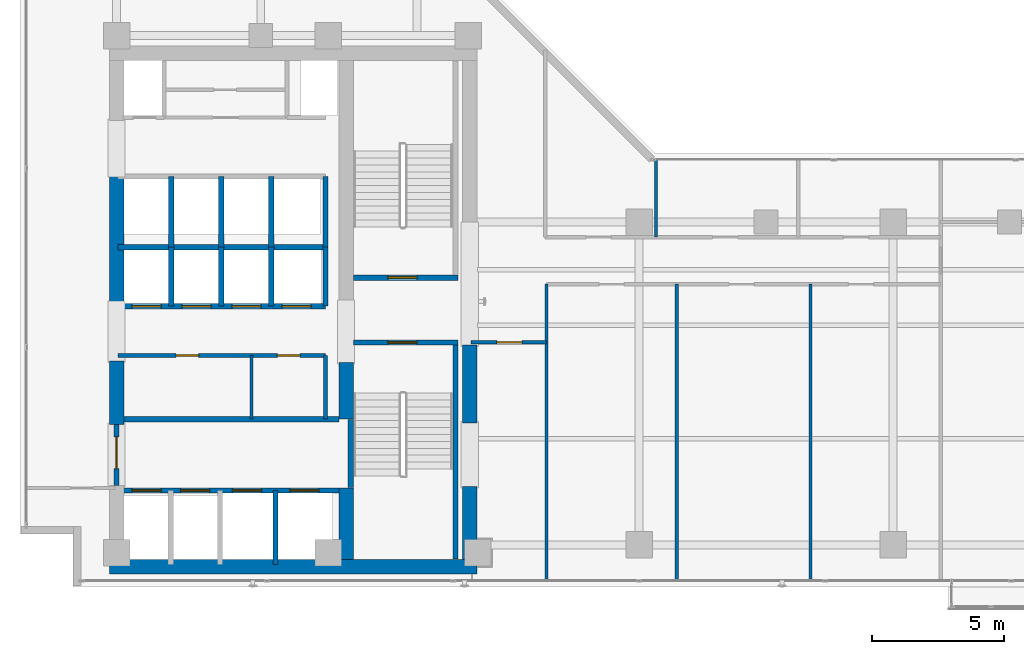
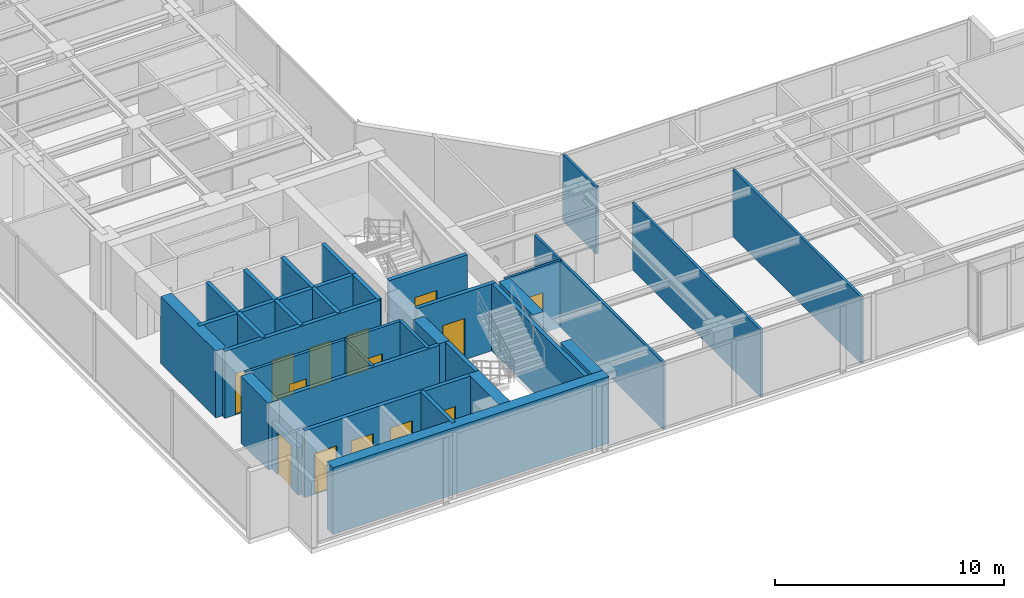
# One storey, part 16 of 23: 33 walls, 14 doors, 14 openings.
"""IFC4 building model written with IfcOpenShell, lengths in metres."""

from ifc_helpers import new_model, si_unit, direction, frame, frame_2d, origin, place, context, subcontext, project, spatial, rectangle, extrude, material, layer, layer_set, type_object, element, fill, save


model = new_model("IFC4")

# Units and contexts
model_context = context("Model", 3, precision=1e-05, world=origin(), true_north=direction((0.0, 1.0)))
body_context = subcontext(model_context, "Body", "Model", "MODEL_VIEW")
ifc_project = project(units=[si_unit("LENGTHUNIT", "METRE"), si_unit("AREAUNIT", "SQUARE_METRE"), si_unit("VOLUMEUNIT", "CUBIC_METRE"), si_unit("PLANEANGLEUNIT", "RADIAN"), si_unit("MASSUNIT", "GRAM", prefix="KILO")], contexts=[model_context])

# Site, building, storey
site_placement = place(None, origin())
site = spatial("IfcSite", under=ifc_project, at=site_placement, CompositionType="ELEMENT")
building_placement = place(site_placement, origin())
building = spatial("IfcBuilding", under=site, at=building_placement, Name="Kolvaren Waterfront Exchange", CompositionType="ELEMENT")
storey_placement = place(building_placement, frame((0.0, 0.0, 212.10009765625)))
storey = spatial("IfcBuildingStorey", under=building, at=storey_placement, Name="L54", CompositionType="ELEMENT", Elevation=212.10009765625)

# Wall, opening, door
ifc_material_1 = material(Name="Precast concrete C40/50", Category="concrete")
ifc_layer_1 = layer(ifc_material_1, 0.199951171875, Name="Precast concrete C40/50")
ifc_layer_set_1 = layer_set([ifc_layer_1], Name="Precast concrete C40/50")
wall_type_1 = type_object("IfcWallType", Name="ARC-FIRE-200", PredefinedType="PARTITIONING", material=ifc_layer_set_1)
wall_1_placement = place(storey_placement, frame((16.39990234375, 12.85009765625, 0.0), z_axis=(0.0, 0.0, 1.0), x_axis=(1.0, 0.0, 0.0)))
wall_1 = element("IfcWall", 1, at=wall_1_placement, inside=storey, type_object=wall_type_1, Name="L54 interior wall PW-L54-ST1-THROAT-S", PredefinedType="PARTITIONING", context=body_context, shape_type="SweptSolid", body=[
    extrude(rectangle(XDim=3.960205078125, YDim=0.199951171875, at=frame_2d((1.97998046875, 0.0))), origin(), (0.0, 0.0, 1.0), 3.559814453125),
])
opening_1_placement = place(wall_1_placement, frame((1.3037109375, 0.0, 0.0)))
opening_1 = element("IfcOpeningElement", 2, at=opening_1_placement, cuts=wall_1, Name="Opening FD2", PredefinedType="OPENING", context=body_context, shape_type="SweptSolid", body=[
    extrude(rectangle(XDim=1.10009765625, YDim=2.199951171875, at=frame_2d((0.550048828125, 1.10009765625))), frame((0.0, 0.10986328125, 0.0), z_axis=(0.0, -1.0, 0.0), x_axis=(1.0, 0.0, 0.0)), (0.0, 0.0, 1.0), 0.219970703125),
])
ifc_material_2 = material(Name="Pressed steel smoke-seal fire door", Category="steel")
door_type_1 = type_object("IfcDoorType", Name="ARC-FD-1100", OperationType="NOTDEFINED", PredefinedType="DOOR", material=ifc_material_2)
door_1_placement = place(opening_1_placement, frame((1.10009765625, 0.0, 0.0), z_axis=(0.0, 0.0, 1.0), x_axis=(-1.0, 0.0, 0.0)))
door_1 = element("IfcDoor", 3, at=door_1_placement, inside=storey, type_object=door_type_1, Name="L54 door DR-L54-ST1-IN (FD2)", OperationType="SINGLE_SWING_RIGHT", OverallHeight=2.199951171875, OverallWidth=1.10009765625, PredefinedType="DOOR", context=body_context, shape_type="SweptSolid", body=[
    extrude(rectangle(XDim=1.10009765625, YDim=2.199951171875, at=frame_2d((0.550048828125, 1.10009765625))), frame((0.0, 0.02490234375, 0.0), z_axis=(0.0, -1.0, 0.0), x_axis=(1.0, 0.0, 0.0)), (0.0, 0.0, 1.0), 0.050048828125),
])
fill(opening_1, door_1)

wall_2_placement = place(storey_placement, frame((16.409912109375, 15.300048828125, 0.0), z_axis=(0.0, 0.0, 1.0), x_axis=(1.0, 0.0, 0.0)))
wall_2 = element("IfcWall", 4, at=wall_2_placement, inside=storey, type_object=wall_type_1, Name="L54 interior wall PW-L54-ST2-THROAT-N", PredefinedType="PARTITIONING", context=body_context, shape_type="SweptSolid", body=[
    extrude(rectangle(XDim=3.9501953125, YDim=0.199951171875, at=frame_2d((1.97509765625, 0.0))), origin(), (0.0, 0.0, 1.0), 3.559814453125),
])
opening_2_placement = place(wall_2_placement, frame((1.293701171875, 0.0, 0.0)))
opening_2 = element("IfcOpeningElement", 5, at=opening_2_placement, cuts=wall_2, Name="Opening FD2", PredefinedType="OPENING", context=body_context, shape_type="SweptSolid", body=[
    extrude(rectangle(XDim=1.10009765625, YDim=2.199951171875, at=frame_2d((0.550048828125, 1.10009765625))), frame((0.0, 0.10986328125, 0.0), z_axis=(0.0, -1.0, 0.0), x_axis=(1.0, 0.0, 0.0)), (0.0, 0.0, 1.0), 0.219970703125),
])
door_2_placement = place(opening_2_placement, origin())
door_2 = element("IfcDoor", 6, at=door_2_placement, inside=storey, type_object=door_type_1, Name="L54 door DR-L54-ST2-IN (FD2)", OperationType="SINGLE_SWING_LEFT", OverallHeight=2.199951171875, OverallWidth=1.10009765625, PredefinedType="DOOR", context=body_context, shape_type="SweptSolid", body=[
    extrude(rectangle(XDim=1.10009765625, YDim=2.199951171875, at=frame_2d((0.550048828125, 1.10009765625))), frame((0.0, 0.02490234375, 0.0), z_axis=(0.0, -1.0, 0.0), x_axis=(1.0, 0.0, 0.0)), (0.0, 0.0, 1.0), 0.050048828125),
])
fill(opening_2, door_2)

# Wall
wall_3_placement = place(storey_placement, frame((7.5, 9.949951171875, 0.0), z_axis=(0.0, 0.0, 1.0), x_axis=(1.0, 0.0, 0.0)))
element("IfcWall", 7, at=wall_3_placement, inside=storey, type_object=wall_type_1, Name="L54 interior wall PW-L54-FF-N", PredefinedType="PARTITIONING", context=body_context, shape_type="SweptSolid", body=[
    extrude(rectangle(XDim=8.35009765625, YDim=0.199951171875, at=frame_2d((4.175048828125, 0.0))), origin(), (0.0, 0.0, 1.0), 3.559814453125),
])

# Wall, opening, door
wall_4_placement = place(storey_placement, frame((7.449951171875, 7.449951171875, 0.0), z_axis=(0.0, 0.0, 1.0), x_axis=(0.0, 1.0, 0.0)))
wall_4 = element("IfcWall", 8, at=wall_4_placement, inside=storey, type_object=wall_type_1, Name="L54 interior wall PW-L54-FF-W-DOOR", PredefinedType="PARTITIONING", context=body_context, shape_type="SweptSolid", body=[
    extrude(rectangle(XDim=2.300048828125, YDim=0.199951171875, at=frame_2d((1.14990234375, 0.0))), origin(), (0.0, 0.0, 1.0), 2.539794921875),
])
opening_3_placement = place(wall_4_placement, frame((0.63330078125, 0.0, 0.0)))
opening_3 = element("IfcOpeningElement", 9, at=opening_3_placement, cuts=wall_4, Name="Opening FD3", PredefinedType="OPENING", context=body_context, shape_type="SweptSolid", body=[
    extrude(rectangle(XDim=1.199951171875, YDim=2.25, at=frame_2d((0.60009765625, 1.125))), frame((0.0, 0.10986328125, 0.0), z_axis=(0.0, -1.0, 0.0), x_axis=(1.0, 0.0, 0.0)), (0.0, 0.0, 1.0), 0.219970703125),
])
ifc_material_3 = material(Name="Pressed steel fire door", Category="steel")
door_type_2 = type_object("IfcDoorType", Name="ARC-FD-1200", OperationType="NOTDEFINED", PredefinedType="DOOR", material=ifc_material_3)
door_3_placement = place(opening_3_placement, frame((1.199951171875, 0.0, 0.0), z_axis=(0.0, 0.0, 1.0), x_axis=(-1.0, 0.0, 0.0)))
door_3 = element("IfcDoor", 10, at=door_3_placement, inside=storey, type_object=door_type_2, Name="L54 door DR-L54-FF-OUT (FD3)", OperationType="SINGLE_SWING_RIGHT", OverallHeight=2.25, OverallWidth=1.199951171875, PredefinedType="DOOR", context=body_context, shape_type="SweptSolid", body=[
    extrude(rectangle(XDim=1.199951171875, YDim=2.25, at=frame_2d((0.60009765625, 1.125))), frame((0.0, 0.02490234375, 0.0), z_axis=(0.0, -1.0, 0.0), x_axis=(1.0, 0.0, 0.0)), (0.0, 0.0, 1.0), 0.050048828125),
])
fill(opening_3, door_3)

# Wall
ifc_material_4 = material(Name="Acoustic gypsum steel stud", Category="steel")
ifc_layer_2 = layer(ifc_material_4, 0.125, Name="Acoustic gypsum steel stud")
ifc_layer_set_2 = layer_set([ifc_layer_2], Name="Acoustic gypsum steel stud")
wall_type_2 = type_object("IfcWallType", Name="ARC-PART-125", PredefinedType="PARTITIONING", material=ifc_layer_set_2)
wall_5_placement = place(storey_placement, frame((12.550048828125, 9.949951171875, 0.0), z_axis=(0.0, 0.0, 1.0), x_axis=(0.0, 1.0, 0.0)))
element("IfcWall", 11, at=wall_5_placement, inside=storey, type_object=wall_type_2, Name="L54 interior wall PW-L54-REC-PL-MID", PredefinedType="PARTITIONING", context=body_context, shape_type="SweptSolid", body=[
    extrude(rectangle(XDim=2.41015625, YDim=0.125, at=frame_2d((1.205078125, 0.0))), origin(), (0.0, 0.0, 1.0), 3.559814453125),
])

# Wall, opening, door
wall_6_placement = place(storey_placement, frame((20.85009765625, 12.860107421875, 0.0), z_axis=(0.0, 0.0, 1.0), x_axis=(1.0, 0.0, 0.0)))
wall_6 = element("IfcWall", 12, at=wall_6_placement, inside=storey, type_object=wall_type_2, Name="L54 interior wall PW-L54-SWST3-N", PredefinedType="PARTITIONING", context=body_context, shape_type="SweptSolid", body=[
    extrude(rectangle(XDim=2.849853515625, YDim=0.125, at=frame_2d((1.4248046875, 0.0))), origin(), (0.0, 0.0, 1.0), 3.559814453125),
])
opening_4_placement = place(wall_6_placement, frame((0.971435546875, 0.0, 0.0)))
opening_4 = element("IfcOpeningElement", 13, at=opening_4_placement, cuts=wall_6, Name="Opening D02", PredefinedType="OPENING", context=body_context, shape_type="SweptSolid", body=[
    extrude(rectangle(XDim=0.949951171875, YDim=2.14990234375, at=frame_2d((0.47509765625, 1.074951171875))), frame((0.0, 0.072509765625, 0.0), z_axis=(0.0, -1.0, 0.0), x_axis=(1.0, 0.0, 0.0)), (0.0, 0.0, 1.0), 0.14501953125),
])
ifc_material_5 = material(Name="Oak veneer acoustic timber", Category="wood")
door_type_3 = type_object("IfcDoorType", Name="ARC-DR-950", OperationType="NOTDEFINED", PredefinedType="DOOR", material=ifc_material_5)
door_4_placement = place(opening_4_placement, origin())
door_4 = element("IfcDoor", 14, at=door_4_placement, inside=storey, type_object=door_type_3, Name="L54 door DR-L54-SWST3-D (D02)", OperationType="SINGLE_SWING_RIGHT", OverallHeight=2.14990234375, OverallWidth=0.949951171875, PredefinedType="DOOR", context=body_context, shape_type="SweptSolid", body=[
    extrude(rectangle(XDim=0.949951171875, YDim=2.14990234375, at=frame_2d((0.47509765625, 1.074951171875))), frame((0.0, 0.02490234375, 0.0), z_axis=(0.0, -1.0, 0.0), x_axis=(1.0, 0.0, 0.0)), (0.0, 0.0, 1.0), 0.050048828125),
])
fill(opening_4, door_4)

# Walls
for number, where, z_axis, x_axis, name in (
    (15, (23.699951171875, 3.840087890625, 0.0), (0.0, 0.0, 1.0), (0.0, 1.0, 0.0), "L54 interior wall PW-L54-ES-W0"),
    (16, (28.6201171875, 3.840087890625, 0.0), (0.0, 0.0, 1.0), (0.0, 1.0, 0.0), "L54 interior wall PW-L54-ES-DIV-1"),
    (17, (33.679931640625, 3.840087890625, 0.0), (0.0, 0.0, 1.0), (0.0, 1.0, 0.0), "L54 interior wall PW-L54-ES-DIV-2"),
):
    element("IfcWall", number, at=place(storey_placement, frame(where, z_axis=z_axis, x_axis=x_axis)), inside=storey, type_object=wall_type_2, Name=name, PredefinedType="PARTITIONING", context=body_context, shape_type="SweptSolid", body=[
        extrude(rectangle(XDim=11.2099609375, YDim=0.125, at=frame_2d((5.60498046875, 0.0))), origin(), (0.0, 0.0, 1.0), 3.559814453125),
    ])
wall_7_placement = place(storey_placement, frame((27.840087890625, 16.830078125, 0.0), z_axis=(0.0, 0.0, 1.0), x_axis=(0.0, 1.0, 0.0)))
element("IfcWall", 18, at=wall_7_placement, inside=storey, type_object=wall_type_2, Name="L54 interior wall PW-L54-EN-DIV-1", PredefinedType="PARTITIONING", context=body_context, shape_type="SweptSolid", body=[
    extrude(rectangle(XDim=2.929931640625, YDim=0.125, at=frame_2d((1.46484375, 0.0))), origin(), (0.0, 0.0, 1.0), 3.559814453125),
])

# Wall, openings, doors
ifc_material_6 = material(Name="Gypsum fireboard steel stud", Category="steel")
ifc_layer_3 = layer(ifc_material_6, 0.14990234375, Name="Gypsum fireboard steel stud")
ifc_layer_set_3 = layer_set([ifc_layer_3], Name="Gypsum fireboard steel stud")
wall_type_3 = type_object("IfcWallType", Name="ARC-PART-150", PredefinedType="PARTITIONING", material=ifc_layer_set_3)
wall_8_placement = place(storey_placement, frame((7.5, 12.360107421875, 0.0), z_axis=(0.0, 0.0, 1.0), x_axis=(1.0, 0.0, 0.0)))
wall_8 = element("IfcWall", 19, at=wall_8_placement, inside=storey, type_object=wall_type_3, Name="L54 interior wall PW-L54-REC-PL-N", PredefinedType="PARTITIONING", context=body_context, shape_type="SweptSolid", body=[
    extrude(rectangle(XDim=7.85009765625, YDim=0.14990234375, at=frame_2d((3.925048828125, 0.0))), origin(), (0.0, 0.0, 1.0), 3.559814453125),
])
opening_5_placement = place(wall_8_placement, frame((2.202392578125, 0.0, 0.0)))
opening_5 = element("IfcOpeningElement", 20, at=opening_5_placement, cuts=wall_8, Name="Opening D01", PredefinedType="OPENING", context=body_context, shape_type="SweptSolid", body=[
    extrude(rectangle(XDim=0.85009765625, YDim=2.14990234375, at=frame_2d((0.425048828125, 1.074951171875))), frame((0.0, 0.0849609375, 0.0), z_axis=(0.0, -1.0, 0.0), x_axis=(1.0, 0.0, 0.0)), (0.0, 0.0, 1.0), 0.169921875),
])
opening_6_placement = place(wall_8_placement, frame((6.02490234375, 0.0, 0.0)))
opening_6 = element("IfcOpeningElement", 21, at=opening_6_placement, cuts=wall_8, Name="Opening D01", PredefinedType="OPENING", context=body_context, shape_type="SweptSolid", body=[
    extrude(rectangle(XDim=0.85009765625, YDim=2.14990234375, at=frame_2d((0.425048828125, 1.074951171875))), frame((0.0, 0.0849609375, 0.0), z_axis=(0.0, -1.0, 0.0), x_axis=(1.0, 0.0, 0.0)), (0.0, 0.0, 1.0), 0.169921875),
])
ifc_material_7 = material(Name="Oak veneer timber leaf", Category="wood")
door_type_4 = type_object("IfcDoorType", Name="ARC-DR-900", OperationType="NOTDEFINED", PredefinedType="DOOR", material=ifc_material_7)
door_5_placement = place(opening_5_placement, origin())
door_5 = element("IfcDoor", 22, at=door_5_placement, inside=storey, type_object=door_type_4, Name="L54 door DR-L54-REC-PL-D1 (D01)", OperationType="SINGLE_SWING_LEFT", OverallHeight=2.14990234375, OverallWidth=0.85009765625, PredefinedType="DOOR", context=body_context, shape_type="SweptSolid", body=[
    extrude(rectangle(XDim=0.85009765625, YDim=2.14990234375, at=frame_2d((0.425048828125, 1.074951171875))), frame((0.0, 0.02490234375, 0.0), z_axis=(0.0, -1.0, 0.0), x_axis=(1.0, 0.0, 0.0)), (0.0, 0.0, 1.0), 0.050048828125),
])
fill(opening_5, door_5)
door_6_placement = place(opening_6_placement, origin())
door_6 = element("IfcDoor", 23, at=door_6_placement, inside=storey, type_object=door_type_4, Name="L54 door DR-L54-REC-PL-D2 (D01)", OperationType="SINGLE_SWING_RIGHT", OverallHeight=2.14990234375, OverallWidth=0.85009765625, PredefinedType="DOOR", context=body_context, shape_type="SweptSolid", body=[
    extrude(rectangle(XDim=0.85009765625, YDim=2.14990234375, at=frame_2d((0.425048828125, 1.074951171875))), frame((0.0, 0.02490234375, 0.0), z_axis=(0.0, -1.0, 0.0), x_axis=(1.0, 0.0, 0.0)), (0.0, 0.0, 1.0), 0.050048828125),
])
fill(opening_6, door_6)

# Walls
wall_9_placement = place(storey_placement, frame((15.35009765625, 9.949951171875, 0.0), z_axis=(0.0, 0.0, 1.0), x_axis=(0.0, 1.0, 0.0)))
element("IfcWall", 24, at=wall_9_placement, inside=storey, type_object=wall_type_3, Name="L54 interior wall PW-L54-REC-PL-E", PredefinedType="PARTITIONING", context=body_context, shape_type="SweptSolid", body=[
    extrude(rectangle(XDim=2.41015625, YDim=0.14990234375, at=frame_2d((1.205078125, 0.0))), origin(), (0.0, 0.0, 1.0), 3.559814453125),
])
ifc_material_8 = material(Name="Concrete C40/50", Category="concrete")
ifc_layer_4 = layer(ifc_material_8, 0.199951171875, Name="Concrete C40/50")
ifc_layer_set_4 = layer_set([ifc_layer_4], Name="Concrete C40/50")
wall_type_4 = type_object("IfcWallType", Name="ARC-SHAFT-200", PredefinedType="PARTITIONING", material=ifc_layer_set_4)
wall_10_placement = place(storey_placement, frame((16.300048828125, 7.360107421875, 0.0), z_axis=(0.0, 0.0, 1.0), x_axis=(0.0, 1.0, 0.0)))
element("IfcWall", 25, at=wall_10_placement, inside=storey, type_object=wall_type_4, Name="L54 structural stairwell wall PW-L54-ST1-W", PredefinedType="SHEAR", context=body_context, shape_type="SweptSolid", body=[
    extrude(rectangle(XDim=2.579833984375, YDim=0.199951171875, at=frame_2d((1.2900390625, 0.0))), origin(), (0.0, 0.0, 1.0), 3.559814453125),
])
wall_11_placement = place(storey_placement, frame((20.260009765625, 4.659912109375, 0.0), z_axis=(0.0, 0.0, 1.0), x_axis=(0.0, 1.0, 0.0)))
element("IfcWall", 26, at=wall_11_placement, inside=storey, type_object=wall_type_4, Name="L54 structural stairwell wall PW-L54-ST1-E", PredefinedType="SHEAR", context=body_context, shape_type="SweptSolid", body=[
    extrude(rectangle(XDim=8.090087890625, YDim=0.199951171875, at=frame_2d((4.044921875, 0.0))), origin(), (0.0, 0.0, 1.0), 3.559814453125),
])

# Wall, openings, doors
wall_12_placement = place(storey_placement, frame((7.5, 7.25, 0.0), z_axis=(0.0, 0.0, 1.0), x_axis=(1.0, 0.0, 0.0)))
wall_12 = element("IfcWall", 27, at=wall_12_placement, inside=storey, type_object=wall_type_4, Name="L54 interior wall PW-L54-FF-S", PredefinedType="PARTITIONING", context=body_context, shape_type="SweptSolid", body=[
    extrude(rectangle(XDim=8.35009765625, YDim=0.199951171875, at=frame_2d((4.175048828125, 0.0))), origin(), (0.0, 0.0, 1.0), 3.559814453125),
])
opening_7_placement = place(wall_12_placement, frame((0.530029296875, 0.0, 0.0)))
opening_7 = element("IfcOpeningElement", 28, at=opening_7_placement, cuts=wall_12, Name="Opening LD1", PredefinedType="OPENING", context=body_context, shape_type="SweptSolid", body=[
    extrude(rectangle(XDim=1.10009765625, YDim=2.199951171875, at=frame_2d((0.550048828125, 1.10009765625))), frame((0.0, 0.10986328125, 0.0), z_axis=(0.0, -1.0, 0.0), x_axis=(1.0, 0.0, 0.0)), (0.0, 0.0, 1.0), 0.219970703125),
])
opening_8_placement = place(wall_12_placement, frame((2.3701171875, 0.0, 0.0)))
opening_8 = element("IfcOpeningElement", 29, at=opening_8_placement, cuts=wall_12, Name="Opening LD1", PredefinedType="OPENING", context=body_context, shape_type="SweptSolid", body=[
    extrude(rectangle(XDim=1.10009765625, YDim=2.199951171875, at=frame_2d((0.550048828125, 1.10009765625))), frame((0.0, 0.10986328125, 0.0), z_axis=(0.0, -1.0, 0.0), x_axis=(1.0, 0.0, 0.0)), (0.0, 0.0, 1.0), 0.219970703125),
])
opening_9_placement = place(wall_12_placement, frame((4.330078125, 0.0, 0.0)))
opening_9 = element("IfcOpeningElement", 30, at=opening_9_placement, cuts=wall_12, Name="Opening LD1", PredefinedType="OPENING", context=body_context, shape_type="SweptSolid", body=[
    extrude(rectangle(XDim=1.10009765625, YDim=2.199951171875, at=frame_2d((0.550048828125, 1.10009765625))), frame((0.0, 0.10986328125, 0.0), z_axis=(0.0, -1.0, 0.0), x_axis=(1.0, 0.0, 0.0)), (0.0, 0.0, 1.0), 0.219970703125),
])
opening_10_placement = place(wall_12_placement, frame((6.5, 0.0, 0.0)))
opening_10 = element("IfcOpeningElement", 31, at=opening_10_placement, cuts=wall_12, Name="Opening LD1", PredefinedType="OPENING", context=body_context, shape_type="SweptSolid", body=[
    extrude(rectangle(XDim=1.10009765625, YDim=2.199951171875, at=frame_2d((0.550048828125, 1.10009765625))), frame((0.0, 0.10986328125, 0.0), z_axis=(0.0, -1.0, 0.0), x_axis=(1.0, 0.0, 0.0)), (0.0, 0.0, 1.0), 0.219970703125),
])
ifc_material_9 = material(Name="Stainless steel sliding landing door", Category="steel")
door_type_5 = type_object("IfcDoorType", Name="ARC-LD-FF", OperationType="SLIDING_TO_LEFT", PredefinedType="DOOR", material=ifc_material_9)
door_7_placement = place(opening_7_placement, origin())
door_7 = element("IfcDoor", 32, at=door_7_placement, inside=storey, type_object=door_type_5, Name="L54 door LD-L54-FFL1 (LD1)", OperationType="SLIDING_TO_LEFT", OverallHeight=2.199951171875, OverallWidth=1.10009765625, PredefinedType="DOOR", context=body_context, shape_type="SweptSolid", body=[
    extrude(rectangle(XDim=1.10009765625, YDim=2.199951171875, at=frame_2d((0.550048828125, 1.10009765625))), frame((0.0, 0.02490234375, 0.0), z_axis=(0.0, -1.0, 0.0), x_axis=(1.0, 0.0, 0.0)), (0.0, 0.0, 1.0), 0.050048828125),
])
fill(opening_7, door_7)
door_8_placement = place(opening_8_placement, origin())
door_8 = element("IfcDoor", 33, at=door_8_placement, inside=storey, type_object=door_type_5, Name="L54 door LD-L54-FFL2 (LD1)", OperationType="SLIDING_TO_LEFT", OverallHeight=2.199951171875, OverallWidth=1.10009765625, PredefinedType="DOOR", context=body_context, shape_type="SweptSolid", body=[
    extrude(rectangle(XDim=1.10009765625, YDim=2.199951171875, at=frame_2d((0.550048828125, 1.10009765625))), frame((0.0, 0.02490234375, 0.0), z_axis=(0.0, -1.0, 0.0), x_axis=(1.0, 0.0, 0.0)), (0.0, 0.0, 1.0), 0.050048828125),
])
fill(opening_8, door_8)
door_9_placement = place(opening_9_placement, origin())
door_9 = element("IfcDoor", 34, at=door_9_placement, inside=storey, type_object=door_type_5, Name="L54 door LD-L54-GL1 (LD1)", OperationType="SLIDING_TO_LEFT", OverallHeight=2.199951171875, OverallWidth=1.10009765625, PredefinedType="DOOR", context=body_context, shape_type="SweptSolid", body=[
    extrude(rectangle(XDim=1.10009765625, YDim=2.199951171875, at=frame_2d((0.550048828125, 1.10009765625))), frame((0.0, 0.02490234375, 0.0), z_axis=(0.0, -1.0, 0.0), x_axis=(1.0, 0.0, 0.0)), (0.0, 0.0, 1.0), 0.050048828125),
])
fill(opening_9, door_9)
door_10_placement = place(opening_10_placement, origin())
door_10 = element("IfcDoor", 35, at=door_10_placement, inside=storey, type_object=door_type_5, Name="L54 door LD-L54-GL2 (LD1)", OperationType="SLIDING_TO_LEFT", OverallHeight=2.199951171875, OverallWidth=1.10009765625, PredefinedType="DOOR", context=body_context, shape_type="SweptSolid", body=[
    extrude(rectangle(XDim=1.10009765625, YDim=2.199951171875, at=frame_2d((0.550048828125, 1.10009765625))), frame((0.0, 0.02490234375, 0.0), z_axis=(0.0, -1.0, 0.0), x_axis=(1.0, 0.0, 0.0)), (0.0, 0.0, 1.0), 0.050048828125),
])
fill(opening_10, door_10)

# Wall
wall_13_placement = place(storey_placement, frame((13.4599609375, 4.449951171875, 0.0), z_axis=(0.0, 0.0, 1.0), x_axis=(0.0, 1.0, 0.0)))
element("IfcWall", 36, at=wall_13_placement, inside=storey, type_object=wall_type_4, Name="L54 interior wall PW-L54-SH1-DIV-134", PredefinedType="PARTITIONING", context=body_context, shape_type="SweptSolid", body=[
    extrude(rectangle(XDim=2.800048828125, YDim=0.199951171875, at=frame_2d((1.39990234375, 0.0))), origin(), (0.0, 0.0, 1.0), 3.559814453125),
])

# Wall, openings, doors
wall_14_placement = place(storey_placement, frame((7.5, 14.219970703125, 0.0), z_axis=(0.0, 0.0, 1.0), x_axis=(1.0, 0.0, 0.0)))
wall_14 = element("IfcWall", 37, at=wall_14_placement, inside=storey, type_object=wall_type_4, Name="L54 interior wall PW-L54-PM-S", PredefinedType="PARTITIONING", context=body_context, shape_type="SweptSolid", body=[
    extrude(rectangle(XDim=7.85009765625, YDim=0.199951171875, at=frame_2d((3.925048828125, 0.0))), origin(), (0.0, 0.0, 1.0), 3.559814453125),
])
opening_11_placement = place(wall_14_placement, frame((0.530029296875, 0.0, 0.0)))
opening_11 = element("IfcOpeningElement", 38, at=opening_11_placement, cuts=wall_14, Name="Opening LD2", PredefinedType="OPENING", context=body_context, shape_type="SweptSolid", body=[
    extrude(rectangle(XDim=1.10009765625, YDim=2.199951171875, at=frame_2d((0.550048828125, 1.10009765625))), frame((0.0, 0.10986328125, 0.0), z_axis=(0.0, -1.0, 0.0), x_axis=(1.0, 0.0, 0.0)), (0.0, 0.0, 1.0), 0.219970703125),
])
opening_12_placement = place(wall_14_placement, frame((2.419921875, 0.0, 0.0)))
opening_12 = element("IfcOpeningElement", 39, at=opening_12_placement, cuts=wall_14, Name="Opening LD2", PredefinedType="OPENING", context=body_context, shape_type="SweptSolid", body=[
    extrude(rectangle(XDim=1.10009765625, YDim=2.199951171875, at=frame_2d((0.550048828125, 1.10009765625))), frame((0.0, 0.10986328125, 0.0), z_axis=(0.0, -1.0, 0.0), x_axis=(1.0, 0.0, 0.0)), (0.0, 0.0, 1.0), 0.219970703125),
])
opening_13_placement = place(wall_14_placement, frame((4.31005859375, 0.0, 0.0)))
opening_13 = element("IfcOpeningElement", 40, at=opening_13_placement, cuts=wall_14, Name="Opening LD2", PredefinedType="OPENING", context=body_context, shape_type="SweptSolid", body=[
    extrude(rectangle(XDim=1.10009765625, YDim=2.199951171875, at=frame_2d((0.550048828125, 1.10009765625))), frame((0.0, 0.10986328125, 0.0), z_axis=(0.0, -1.0, 0.0), x_axis=(1.0, 0.0, 0.0)), (0.0, 0.0, 1.0), 0.219970703125),
])
opening_14_placement = place(wall_14_placement, frame((6.199951171875, 0.0, 0.0)))
opening_14 = element("IfcOpeningElement", 41, at=opening_14_placement, cuts=wall_14, Name="Opening LD2", PredefinedType="OPENING", context=body_context, shape_type="SweptSolid", body=[
    extrude(rectangle(XDim=1.10009765625, YDim=2.199951171875, at=frame_2d((0.550048828125, 1.10009765625))), frame((0.0, 0.10986328125, 0.0), z_axis=(0.0, -1.0, 0.0), x_axis=(1.0, 0.0, 0.0)), (0.0, 0.0, 1.0), 0.219970703125),
])
ifc_material_10 = material(Name="Brushed bronze sliding landing door", Category="aluminium")
door_type_6 = type_object("IfcDoorType", Name="ARC-LD-PAX", OperationType="SLIDING_TO_LEFT", PredefinedType="DOOR", material=ifc_material_10)
door_11_placement = place(opening_11_placement, frame((1.10009765625, 0.0, 0.0), z_axis=(0.0, 0.0, 1.0), x_axis=(-1.0, 0.0, 0.0)))
door_11 = element("IfcDoor", 42, at=door_11_placement, inside=storey, type_object=door_type_6, Name="L54 door LD-L54-PM1 (LD2)", OperationType="SLIDING_TO_LEFT", OverallHeight=2.199951171875, OverallWidth=1.10009765625, PredefinedType="DOOR", context=body_context, shape_type="SweptSolid", body=[
    extrude(rectangle(XDim=1.10009765625, YDim=2.199951171875, at=frame_2d((0.550048828125, 1.10009765625))), frame((0.0, 0.02490234375, 0.0), z_axis=(0.0, -1.0, 0.0), x_axis=(1.0, 0.0, 0.0)), (0.0, 0.0, 1.0), 0.050048828125),
])
fill(opening_11, door_11)
door_12_placement = place(opening_12_placement, frame((1.10009765625, 0.0, 0.0), z_axis=(0.0, 0.0, 1.0), x_axis=(-1.0, 0.0, 0.0)))
door_12 = element("IfcDoor", 43, at=door_12_placement, inside=storey, type_object=door_type_6, Name="L54 door LD-L54-PM2 (LD2)", OperationType="SLIDING_TO_LEFT", OverallHeight=2.199951171875, OverallWidth=1.10009765625, PredefinedType="DOOR", context=body_context, shape_type="SweptSolid", body=[
    extrude(rectangle(XDim=1.10009765625, YDim=2.199951171875, at=frame_2d((0.550048828125, 1.10009765625))), frame((0.0, 0.02490234375, 0.0), z_axis=(0.0, -1.0, 0.0), x_axis=(1.0, 0.0, 0.0)), (0.0, 0.0, 1.0), 0.050048828125),
])
fill(opening_12, door_12)
door_13_placement = place(opening_13_placement, frame((1.10009765625, 0.0, 0.0), z_axis=(0.0, 0.0, 1.0), x_axis=(-1.0, 0.0, 0.0)))
door_13 = element("IfcDoor", 44, at=door_13_placement, inside=storey, type_object=door_type_6, Name="L54 door LD-L54-PM3 (LD2)", OperationType="SLIDING_TO_LEFT", OverallHeight=2.199951171875, OverallWidth=1.10009765625, PredefinedType="DOOR", context=body_context, shape_type="SweptSolid", body=[
    extrude(rectangle(XDim=1.10009765625, YDim=2.199951171875, at=frame_2d((0.550048828125, 1.10009765625))), frame((0.0, 0.02490234375, 0.0), z_axis=(0.0, -1.0, 0.0), x_axis=(1.0, 0.0, 0.0)), (0.0, 0.0, 1.0), 0.050048828125),
])
fill(opening_13, door_13)
door_14_placement = place(opening_14_placement, frame((1.10009765625, 0.0, 0.0), z_axis=(0.0, 0.0, 1.0), x_axis=(-1.0, 0.0, 0.0)))
door_14 = element("IfcDoor", 45, at=door_14_placement, inside=storey, type_object=door_type_6, Name="L54 door LD-L54-PM4 (LD2)", OperationType="SLIDING_TO_LEFT", OverallHeight=2.199951171875, OverallWidth=1.10009765625, PredefinedType="DOOR", context=body_context, shape_type="SweptSolid", body=[
    extrude(rectangle(XDim=1.10009765625, YDim=2.199951171875, at=frame_2d((0.550048828125, 1.10009765625))), frame((0.0, 0.02490234375, 0.0), z_axis=(0.0, -1.0, 0.0), x_axis=(1.0, 0.0, 0.0)), (0.0, 0.0, 1.0), 0.050048828125),
])
fill(opening_14, door_14)

# Walls
wall_15_placement = place(storey_placement, frame((7.5, 16.449951171875, 0.0), z_axis=(0.0, 0.0, 1.0), x_axis=(1.0, 0.0, 0.0)))
element("IfcWall", 46, at=wall_15_placement, inside=storey, type_object=wall_type_4, Name="L54 interior wall PW-L54-PM-N", PredefinedType="PARTITIONING", context=body_context, shape_type="SweptSolid", body=[
    extrude(rectangle(XDim=7.85009765625, YDim=0.199951171875, at=frame_2d((3.925048828125, 0.0))), origin(), (0.0, 0.0, 1.0), 3.559814453125),
])
for number, where, z_axis, x_axis, name in (
    (47, (15.35009765625, 14.219970703125, 0.0), (0.0, 0.0, 1.0), (0.0, 1.0, 0.0), "L54 interior wall PW-L54-PM-E"),
    (48, (9.52001953125, 14.219970703125, 0.0), (0.0, 0.0, 1.0), (0.0, 1.0, 0.0), "L54 interior wall PW-L54-SH3-DIV-95"),
    (49, (11.409912109375, 14.219970703125, 0.0), (0.0, 0.0, 1.0), (0.0, 1.0, 0.0), "L54 interior wall PW-L54-SH3-DIV-114"),
    (50, (13.300048828125, 14.219970703125, 0.0), (0.0, 0.0, 1.0), (0.0, 1.0, 0.0), "L54 interior wall PW-L54-SH3-DIV-133"),
):
    element("IfcWall", number, at=place(storey_placement, frame(where, z_axis=z_axis, x_axis=x_axis)), inside=storey, type_object=wall_type_4, Name=name, PredefinedType="PARTITIONING", context=body_context, shape_type="SweptSolid", body=[
        extrude(rectangle(XDim=2.22998046875, YDim=0.199951171875, at=frame_2d((1.114990234375, 0.0))), origin(), (0.0, 0.0, 1.0), 3.559814453125),
    ])
for number, where, z_axis, x_axis, name in (
    (51, (15.35009765625, 16.449951171875, 0.0), (0.0, 0.0, 1.0), (0.0, 1.0, 0.0), "L54 interior wall PW-L54-PH-E"),
    (52, (9.52001953125, 16.449951171875, 0.0), (0.0, 0.0, 1.0), (0.0, 1.0, 0.0), "L54 interior wall PW-L54-SH4-DIV-95"),
    (53, (11.409912109375, 16.449951171875, 0.0), (0.0, 0.0, 1.0), (0.0, 1.0, 0.0), "L54 interior wall PW-L54-SH4-DIV-114"),
    (54, (13.300048828125, 16.449951171875, 0.0), (0.0, 0.0, 1.0), (0.0, 1.0, 0.0), "L54 interior wall PW-L54-SH4-DIV-133"),
):
    element("IfcWall", number, at=place(storey_placement, frame(where, z_axis=z_axis, x_axis=x_axis)), inside=storey, type_object=wall_type_4, Name=name, PredefinedType="PARTITIONING", context=body_context, shape_type="SweptSolid", body=[
        extrude(rectangle(XDim=2.670166015625, YDim=0.199951171875, at=frame_2d((1.3349609375, 0.0))), origin(), (0.0, 0.0, 1.0), 3.559814453125),
    ])
ifc_material_11 = material(Name="Concrete C50/60", Category="concrete")
ifc_layer_5 = layer(ifc_material_11, 0.550048828125, Name="Concrete C50/60")
ifc_layer_set_5 = layer_set([ifc_layer_5], Name="Concrete C50/60")
wall_type_5 = type_object("IfcWallType", Name="STR-CWALL-550", PredefinedType="SHEAR", material=ifc_layer_set_5)
wall_16_placement = place(storey_placement, frame((7.175048828125, 4.375, 0.0), z_axis=(0.0, 0.0, 1.0), x_axis=(1.0, 0.0, 0.0)))
element("IfcWall", 55, at=wall_16_placement, inside=storey, type_object=wall_type_5, Name="L54 rear-core shear wall S", PredefinedType="SHEAR", context=body_context, shape_type="SweptSolid", body=[
    extrude(rectangle(XDim=13.89990234375, YDim=0.550048828125, at=frame_2d((6.949951171875, 0.0))), origin(), (0.0, 0.0, 1.0), 3.559814453125),
])
wall_17_placement = place(storey_placement, frame((7.449951171875, 9.75, 0.0), z_axis=(0.0, 0.0, 1.0), x_axis=(0.0, 1.0, 0.0)))
element("IfcWall", 56, at=wall_17_placement, inside=storey, type_object=wall_type_5, Name="L54 rear-core shear wall W2A", PredefinedType="SHEAR", context=body_context, shape_type="SweptSolid", body=[
    extrude(rectangle(XDim=2.39990234375, YDim=0.550048828125, at=frame_2d((1.199951171875, 0.0))), origin(), (0.0, 0.0, 1.0), 3.559814453125),
])
wall_18_placement = place(storey_placement, frame((7.449951171875, 14.35009765625, 0.0), z_axis=(0.0, 0.0, 1.0), x_axis=(0.0, 1.0, 0.0)))
element("IfcWall", 57, at=wall_18_placement, inside=storey, type_object=wall_type_5, Name="L54 rear-core shear wall W2B", PredefinedType="SHEAR", context=body_context, shape_type="SweptSolid", body=[
    extrude(rectangle(XDim=4.809814453125, YDim=0.550048828125, at=frame_2d((2.40478515625, 0.0))), origin(), (0.0, 0.0, 1.0), 3.559814453125),
])
wall_19_placement = place(storey_placement, frame((20.800048828125, 4.64990234375, 0.0), z_axis=(0.0, 0.0, 1.0), x_axis=(0.0, 1.0, 0.0)))
element("IfcWall", 58, at=wall_19_placement, inside=storey, type_object=wall_type_5, Name="L54 rear-core shear wall E1", PredefinedType="SHEAR", context=body_context, shape_type="SweptSolid", body=[
    extrude(rectangle(XDim=2.75, YDim=0.550048828125, at=frame_2d((1.375, 0.0))), origin(), (0.0, 0.0, 1.0), 3.559814453125),
])
wall_20_placement = place(storey_placement, frame((20.800048828125, 9.800048828125, 0.0), z_axis=(0.0, 0.0, 1.0), x_axis=(0.0, 1.0, 0.0)))
element("IfcWall", 59, at=wall_20_placement, inside=storey, type_object=wall_type_5, Name="L54 rear-core shear wall E2", PredefinedType="SHEAR", context=body_context, shape_type="SweptSolid", body=[
    extrude(rectangle(XDim=2.949951171875, YDim=0.550048828125, at=frame_2d((1.47509765625, 0.0))), origin(), (0.0, 0.0, 1.0), 3.559814453125),
])
wall_21_placement = place(storey_placement, frame((16.125, 4.64990234375, 0.0), z_axis=(0.0, 0.0, 1.0), x_axis=(0.0, 1.0, 0.0)))
element("IfcWall", 60, at=wall_21_placement, inside=storey, type_object=wall_type_5, Name="L54 rear-core shear wall M1", PredefinedType="SHEAR", context=body_context, shape_type="SweptSolid", body=[
    extrude(rectangle(XDim=2.7001953125, YDim=0.550048828125, at=frame_2d((1.35009765625, 0.0))), origin(), (0.0, 0.0, 1.0), 3.559814453125),
])
wall_22_placement = place(storey_placement, frame((16.125, 9.949951171875, 0.0), z_axis=(0.0, 0.0, 1.0), x_axis=(0.0, 1.0, 0.0)))
element("IfcWall", 61, at=wall_22_placement, inside=storey, type_object=wall_type_5, Name="L54 rear-core shear wall M2", PredefinedType="SHEAR", context=body_context, shape_type="SweptSolid", body=[
    extrude(rectangle(XDim=2.150146484375, YDim=0.550048828125, at=frame_2d((1.0751953125, 0.0))), origin(), (0.0, 0.0, 1.0), 3.559814453125),
])

save(model, "model.ifc")
